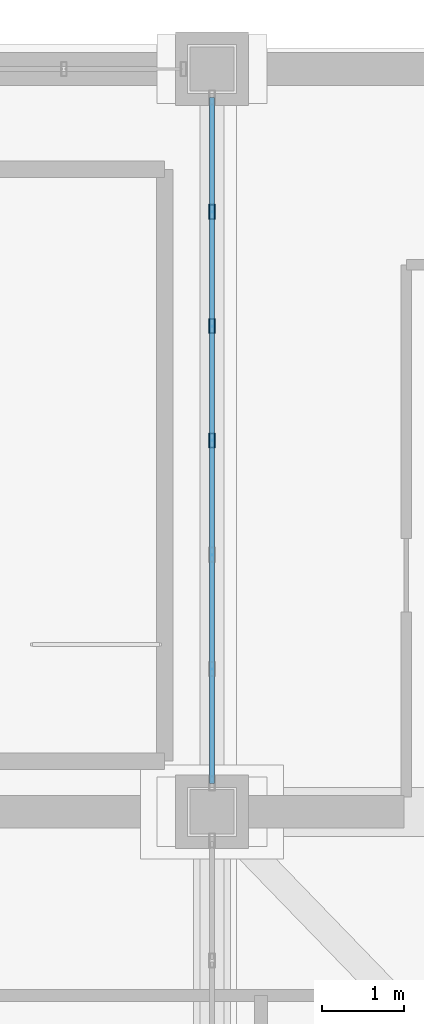
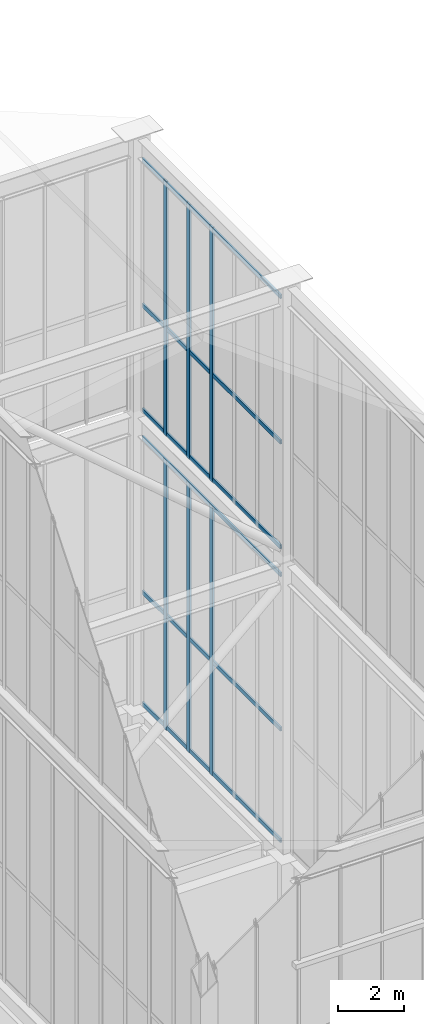
# One storey, part 25 of 135: 12 members, 2 elements without a shape of their own.
"""IFC4 building model written with IfcOpenShell, lengths in metres."""

from ifc_helpers import new_model, si_unit, direction, frame, origin, origin_2d, place, context, subcontext, project, spatial, hollow_rectangle, extrude, source, transform, mapped, material, layer, layer_set, material_profile, profile_set, type_object, element, aggregate, save


model = new_model("IFC4")

# Units and contexts
model_context = context("Model", 3, precision=1e-05, world=origin(), true_north=direction((0.0, 1.0)))
body_context = subcontext(model_context, "Body", "Model", "MODEL_VIEW")
ifc_project = project(units=[si_unit("LENGTHUNIT", "METRE"), si_unit("AREAUNIT", "SQUARE_METRE"), si_unit("VOLUMEUNIT", "CUBIC_METRE"), si_unit("PLANEANGLEUNIT", "RADIAN"), si_unit("MASSUNIT", "GRAM", prefix="KILO")], contexts=[model_context])

# Site, building, storey
site_placement = place(None, origin())
site = spatial("IfcSite", under=ifc_project, at=site_placement, CompositionType="ELEMENT")
building_placement = place(site_placement, origin())
building = spatial("IfcBuilding", under=site, at=building_placement, Name="Giltprow Tower", CompositionType="ELEMENT")
storey_placement = place(building_placement, frame((0.0, 0.0, 352.699951171875)))
storey = spatial("IfcBuildingStorey", under=building, at=storey_placement, Name="L92", CompositionType="ELEMENT", Elevation=352.699951171875)

# Curtain wall, members
ifc_material = material(Name="Anodized bronze", Category="metal")
ifc_layer = layer(ifc_material, 0.179931640625, Name="Anodized bronze")
ifc_layer_set = layer_set([ifc_layer], Name="Anodized bronze")
curtain_wall_type = type_object("IfcCurtainWallType", Name="CW-CROWN-LANTERN", PredefinedType="NOTDEFINED", material=ifc_layer_set)
curtain_wall_1_placement = place(storey_placement, origin())
curtain_wall_1 = element("IfcCurtainWall", 1, at=curtain_wall_1_placement, inside=storey, type_object=curtain_wall_type, Name="Crown West Lower Lantern Glazing 3", PredefinedType="NOTDEFINED")
ifc_material_profile_1 = material_profile(ifc_material, hollow_rectangle(XDim=0.074951171875, YDim=0.179931640625, WallThickness=0.008056640625, at=origin_2d()), Name="RHS 180x75x8")
ifc_profile_set_1 = profile_set([ifc_material_profile_1], Name="Anodized bronze")
member_type_1 = type_object("IfcMemberType", Name="CW-MULLION-180x75", PredefinedType="MULLION", material=ifc_profile_set_1)
shared_shape_1 = source(origin(), body_context, "Body", "SweptSolid", [
    extrude(hollow_rectangle(XDim=0.074951171875, YDim=0.179931640625, WallThickness=0.008056640625, at=origin_2d()), origin(), (0.0, 0.0, 1.0), 10.030029296875),
])
member_1_placement = place(storey_placement, frame((30.800048828125, 42.0, 6.35009765625), z_axis=(0.0, 0.0, 1.0), x_axis=(1.0, 0.0, 0.0)))
member_1 = element("IfcMember", 2, at=member_1_placement, type_object=member_type_1, Name="Crown West Lower Lantern Glazing 3 Mullion 4", PredefinedType="MULLION", context=body_context, shape_type="MappedRepresentation", body=[
    mapped(shared_shape_1, transform((0.0, 0.0, 0.0), x_axis=(1.0, 0.0, 0.0), y_axis=(0.0, 1.0, 0.0), z_axis=(0.0, 0.0, 1.0), scale=1.0)),
])
member_2_placement = place(storey_placement, frame((30.800048828125, 43.39990234375, 6.35009765625), z_axis=(0.0, 0.0, 1.0), x_axis=(1.0, 0.0, 0.0)))
member_2 = element("IfcMember", 3, at=member_2_placement, type_object=member_type_1, Name="Crown West Lower Lantern Glazing 3 Mullion 5", PredefinedType="MULLION", context=body_context, shape_type="MappedRepresentation", body=[
    mapped(shared_shape_1, transform((0.0, 0.0, 0.0), x_axis=(1.0, 0.0, 0.0), y_axis=(0.0, 1.0, 0.0), z_axis=(0.0, 0.0, 1.0), scale=1.0)),
])
member_3_placement = place(storey_placement, frame((30.800048828125, 44.800048828125, 6.35009765625), z_axis=(0.0, 0.0, 1.0), x_axis=(1.0, 0.0, 0.0)))
member_3 = element("IfcMember", 4, at=member_3_placement, type_object=member_type_1, Name="Crown West Lower Lantern Glazing 3 Mullion 6", PredefinedType="MULLION", context=body_context, shape_type="MappedRepresentation", body=[
    mapped(shared_shape_1, transform((0.0, 0.0, 0.0), x_axis=(1.0, 0.0, 0.0), y_axis=(0.0, 1.0, 0.0), z_axis=(0.0, 0.0, 1.0), scale=1.0)),
])

curtain_wall_2_placement = place(storey_placement, origin())
curtain_wall_2 = element("IfcCurtainWall", 5, at=curtain_wall_2_placement, inside=storey, type_object=curtain_wall_type, Name="Crown West Upper Lantern Glazing 3", PredefinedType="NOTDEFINED")
shared_shape_2 = source(origin(), body_context, "Body", "SweptSolid", [
    extrude(hollow_rectangle(XDim=0.074951171875, YDim=0.179931640625, WallThickness=0.008056640625, at=origin_2d()), origin(), (0.0, 0.0, 1.0), 9.45703125),
])
member_4_placement = place(storey_placement, frame((30.800048828125, 42.0, 17.25), z_axis=(0.0, 0.0, 1.0), x_axis=(1.0, 0.0, 0.0)))
member_4 = element("IfcMember", 6, at=member_4_placement, type_object=member_type_1, Name="Crown West Upper Lantern Glazing 3 Mullion 4", PredefinedType="MULLION", context=body_context, shape_type="MappedRepresentation", body=[
    mapped(shared_shape_2, transform((0.0, 0.0, 0.0), x_axis=(1.0, 0.0, 0.0), y_axis=(0.0, 1.0, 0.0), z_axis=(0.0, 0.0, 1.0), scale=1.0)),
])
member_5_placement = place(storey_placement, frame((30.800048828125, 43.39990234375, 17.25), z_axis=(0.0, 0.0, 1.0), x_axis=(1.0, 0.0, 0.0)))
member_5 = element("IfcMember", 7, at=member_5_placement, type_object=member_type_1, Name="Crown West Upper Lantern Glazing 3 Mullion 5", PredefinedType="MULLION", context=body_context, shape_type="MappedRepresentation", body=[
    mapped(shared_shape_2, transform((0.0, 0.0, 0.0), x_axis=(1.0, 0.0, 0.0), y_axis=(0.0, 1.0, 0.0), z_axis=(0.0, 0.0, 1.0), scale=1.0)),
])
member_6_placement = place(storey_placement, frame((30.800048828125, 44.800048828125, 17.25), z_axis=(0.0, 0.0, 1.0), x_axis=(1.0, 0.0, 0.0)))
member_6 = element("IfcMember", 8, at=member_6_placement, type_object=member_type_1, Name="Crown West Upper Lantern Glazing 3 Mullion 6", PredefinedType="MULLION", context=body_context, shape_type="MappedRepresentation", body=[
    mapped(shared_shape_2, transform((0.0, 0.0, 0.0), x_axis=(1.0, 0.0, 0.0), y_axis=(0.0, 1.0, 0.0), z_axis=(0.0, 0.0, 1.0), scale=1.0)),
])

# Member
ifc_material_profile_2 = material_profile(ifc_material, hollow_rectangle(XDim=0.06494140625, YDim=0.14990234375, WallThickness=0.006103515625, at=origin_2d()), Name="RHS 150x65x6")
ifc_profile_set_2 = profile_set([ifc_material_profile_2], Name="Anodized bronze")
member_type_2 = type_object("IfcMemberType", Name="CW-TRANSOM-150x65", PredefinedType="USERDEFINED", material=ifc_profile_set_2)
shared_shape_3 = source(origin(), body_context, "Body", "SweptSolid", [
    extrude(hollow_rectangle(XDim=0.06494140625, YDim=0.14990234375, WallThickness=0.006103515625, at=origin_2d()), origin(), (0.0, 0.0, 1.0), 8.39990234375),
])
member_7_placement = place(storey_placement, frame((30.800048828125, 37.800048828125, 6.43994140625), z_axis=(0.0, 1.0, 0.0), x_axis=(-1.0, 0.0, 0.0)))
member_7 = element("IfcMember", 9, at=member_7_placement, type_object=member_type_2, Name="Crown West Lower Lantern Glazing 3 Transom 1", ObjectType="TRANSOM", PredefinedType="USERDEFINED", context=body_context, shape_type="MappedRepresentation", body=[
    mapped(shared_shape_3, transform((0.0, 0.0, 0.0), x_axis=(1.0, 0.0, 0.0), y_axis=(0.0, 1.0, 0.0), z_axis=(0.0, 0.0, 1.0), scale=1.0)),
])

member_8_placement = place(storey_placement, frame((30.800048828125, 37.800048828125, 10.5791015625), z_axis=(0.0, 1.0, 0.0), x_axis=(-1.0, 0.0, 0.0)))
member_8 = element("IfcMember", 10, at=member_8_placement, type_object=member_type_2, Name="Crown West Lower Lantern Glazing 3 Transom 2", ObjectType="TRANSOM", PredefinedType="USERDEFINED", context=body_context, shape_type="MappedRepresentation", body=[
    mapped(shared_shape_3, transform((0.0, 0.0, 0.0), x_axis=(1.0, 0.0, 0.0), y_axis=(0.0, 1.0, 0.0), z_axis=(0.0, 0.0, 1.0), scale=1.0)),
])

member_9_placement = place(storey_placement, frame((30.800048828125, 37.800048828125, 16.31005859375), z_axis=(0.0, 1.0, 0.0), x_axis=(-1.0, 0.0, 0.0)))
member_9 = element("IfcMember", 11, at=member_9_placement, type_object=member_type_2, Name="Crown West Lower Lantern Glazing 3 Transom 3", ObjectType="TRANSOM", PredefinedType="USERDEFINED", context=body_context, shape_type="MappedRepresentation", body=[
    mapped(shared_shape_3, transform((0.0, 0.0, 0.0), x_axis=(1.0, 0.0, 0.0), y_axis=(0.0, 1.0, 0.0), z_axis=(0.0, 0.0, 1.0), scale=1.0)),
])

aggregate(curtain_wall_1, [member_1, member_2, member_3, member_7, member_8, member_9])

member_10_placement = place(storey_placement, frame((30.800048828125, 37.800048828125, 17.340087890625), z_axis=(0.0, 1.0, 0.0), x_axis=(-1.0, 0.0, 0.0)))
member_10 = element("IfcMember", 12, at=member_10_placement, type_object=member_type_2, Name="Crown West Upper Lantern Glazing 3 Transom 1", ObjectType="TRANSOM", PredefinedType="USERDEFINED", context=body_context, shape_type="MappedRepresentation", body=[
    mapped(shared_shape_3, transform((0.0, 0.0, 0.0), x_axis=(1.0, 0.0, 0.0), y_axis=(0.0, 1.0, 0.0), z_axis=(0.0, 0.0, 1.0), scale=1.0)),
])

member_11_placement = place(storey_placement, frame((30.800048828125, 37.800048828125, 21.234130859375), z_axis=(0.0, 1.0, 0.0), x_axis=(-1.0, 0.0, 0.0)))
member_11 = element("IfcMember", 13, at=member_11_placement, type_object=member_type_2, Name="Crown West Upper Lantern Glazing 3 Transom 2", ObjectType="TRANSOM", PredefinedType="USERDEFINED", context=body_context, shape_type="MappedRepresentation", body=[
    mapped(shared_shape_3, transform((0.0, 0.0, 0.0), x_axis=(1.0, 0.0, 0.0), y_axis=(0.0, 1.0, 0.0), z_axis=(0.0, 0.0, 1.0), scale=1.0)),
])

member_12_placement = place(storey_placement, frame((30.800048828125, 37.800048828125, 26.626953125), z_axis=(0.0, 1.0, 0.0), x_axis=(-1.0, 0.0, 0.0)))
member_12 = element("IfcMember", 14, at=member_12_placement, type_object=member_type_2, Name="Crown West Upper Lantern Glazing 3 Transom 3", ObjectType="TRANSOM", PredefinedType="USERDEFINED", context=body_context, shape_type="MappedRepresentation", body=[
    mapped(shared_shape_3, transform((0.0, 0.0, 0.0), x_axis=(1.0, 0.0, 0.0), y_axis=(0.0, 1.0, 0.0), z_axis=(0.0, 0.0, 1.0), scale=1.0)),
])

aggregate(curtain_wall_2, [member_4, member_5, member_6, member_10, member_11, member_12])

save(model, "model.ifc")
